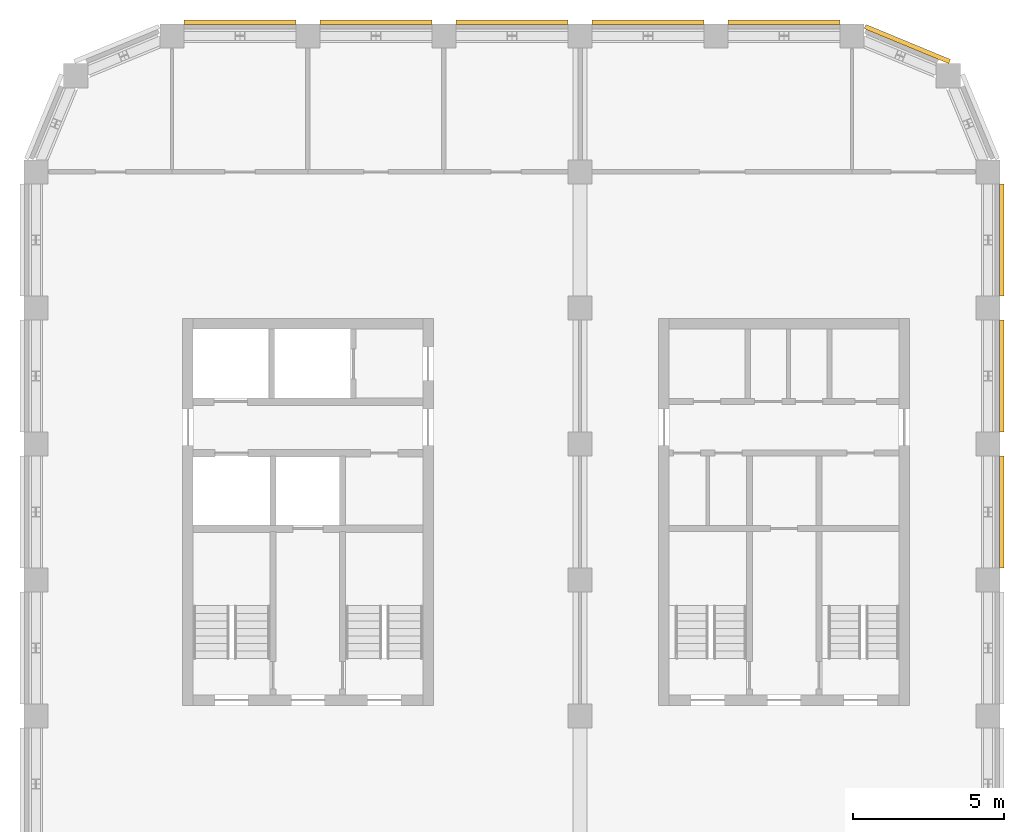
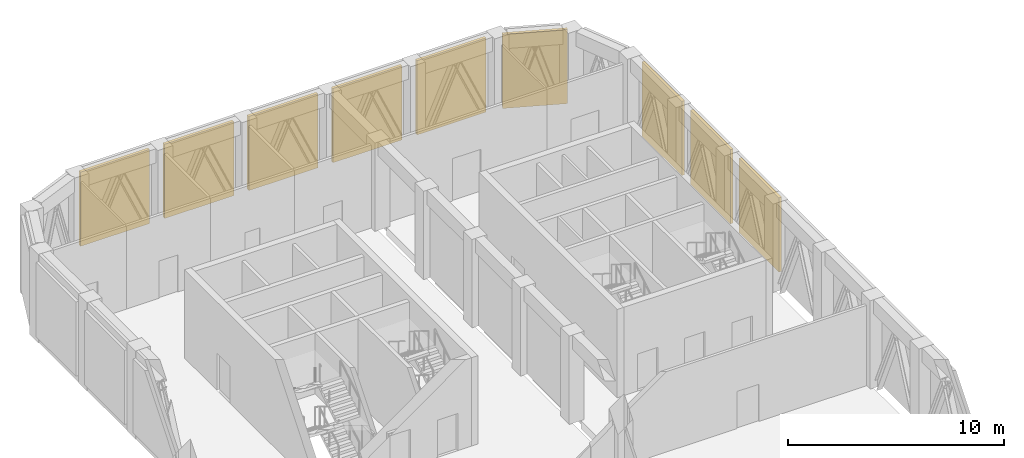
# One storey, part 7 of 7: 9 shading devices.
"""IFC4 building model written with IfcOpenShell, lengths in metres."""

import ifcopenshell
import ifcopenshell.guid

model = None  # the IFC model being written
_history = None  # IfcOwnerHistory: only IFC2X3 demands one
_inside = {}  # id of a spatial element -> (the spatial element, [elements in it])
_under = {}  # id of a project, library or spatial element -> (it, [spatial elements below it])
_declared = {}  # id of a project -> (the project, [libraries it declares])
_typed = {}  # id of a type object -> (the type object, [elements of that type])
_made_of = {}  # id of a material, layer set ... -> (it, [elements and type objects made of it])


def new_model(schema):
    """Start an empty IFC model of exactly this schema.

    Asked for "IFC4X3", IfcOpenShell would pick the latest addendum, in which some entities
    have other attributes; the version numbers below select the first issue.
    IFC2X3 requires an IfcOwnerHistory on every rooted entity: one is made here for all.
    """
    global model, _history
    if schema == "IFC4X3":
        model = ifcopenshell.file(schema_version=(4, 3, 0, 0))
    else:
        model = ifcopenshell.file(schema=schema)
    _inside.clear()
    _under.clear()
    _declared.clear()
    _typed.clear()
    _made_of.clear()
    _history = None
    if model.schema == "IFC2X3":
        org = make("IfcOrganization", Name="unknown")
        user = make(
            "IfcPersonAndOrganization",
            ThePerson=make("IfcPerson", FamilyName="unknown"),
            TheOrganization=org,
        )
        app = make(
            "IfcApplication",
            ApplicationDeveloper=org,
            Version="unknown",
            ApplicationFullName="unknown",
            ApplicationIdentifier="unknown",
        )
        _history = make(
            "IfcOwnerHistory",
            OwningUser=user,
            OwningApplication=app,
            ChangeAction="ADDED",
            CreationDate=0,
        )
    return model


def make(cls, **values):
    """One entity of the class cls with the attributes given. An attribute that is None is left unset."""
    return model.create_entity(
        cls, **{name: value for name, value in values.items() if value is not None}
    )


def rooted(cls, **values):
    """An entity with a GlobalId (a new one), such as an element, a storey or a relation."""
    return make(cls, GlobalId=ifcopenshell.guid.new(), OwnerHistory=_history, **values)


def si_unit(unit_type, name, prefix=None):
    """IfcSIUnit, for example si_unit("LENGTHUNIT", "METRE", prefix="MILLI")."""
    return make("IfcSIUnit", UnitType=unit_type, Prefix=prefix, Name=name)


def assignment(units):
    """IfcUnitAssignment: the units of a project."""
    return None if units is None else make("IfcUnitAssignment", Units=units)


def point(xyz):
    """IfcCartesianPoint."""
    return None if xyz is None else make("IfcCartesianPoint", Coordinates=xyz)


def direction(xyz):
    """IfcDirection."""
    return None if xyz is None else make("IfcDirection", DirectionRatios=xyz)


def frame(location, z_axis=None, x_axis=None):
    """IfcAxis2Placement3D, a coordinate frame: its origin and axes. An axis left out is left unset."""
    return make(
        "IfcAxis2Placement3D",
        Location=point(location),
        Axis=direction(z_axis),
        RefDirection=direction(x_axis),
    )


def frame_2d(location, x_axis=None):
    """IfcAxis2Placement2D, a coordinate frame in the plane: its origin and x axis."""
    return make(
        "IfcAxis2Placement2D", Location=point(location), RefDirection=direction(x_axis)
    )


def origin():
    """The frame at (0, 0, 0) with its axes left unset."""
    return frame((0.0, 0.0, 0.0))


def origin_2d():
    """The frame at (0, 0) in the plane with its x axis left unset."""
    return frame_2d((0.0, 0.0))


def place(relative_to, where):
    """IfcLocalPlacement: puts the frame where relative to a parent placement (None: the world)."""
    return make(
        "IfcLocalPlacement", PlacementRelTo=relative_to, RelativePlacement=where
    )


def context(
    kind, dimensions, precision=None, world=None, true_north=None, identifier=None
):
    """IfcGeometricRepresentationContext, for example the 3D "Model" context."""
    return make(
        "IfcGeometricRepresentationContext",
        ContextIdentifier=identifier,
        ContextType=kind,
        CoordinateSpaceDimension=dimensions,
        Precision=precision,
        WorldCoordinateSystem=world,
        TrueNorth=true_north,
    )


def subcontext(parent, identifier, kind, view, scale=None):
    """IfcGeometricRepresentationSubContext, for example "Body" below "Model"."""
    return make(
        "IfcGeometricRepresentationSubContext",
        ContextIdentifier=identifier,
        ContextType=kind,
        ParentContext=parent,
        TargetScale=scale,
        TargetView=view,
    )


def project(units=None, contexts=None):
    """IfcProject with its units and contexts."""
    return rooted(
        "IfcProject",
        Name="project",
        RepresentationContexts=contexts,
        UnitsInContext=assignment(units),
    )


def spatial(cls, under=None, at=None, **own):
    """A site, building, storey or space (cls), placed at a placement, below another one or the project."""
    s = rooted(cls, ObjectPlacement=at, **own)
    if under is not None:
        _under.setdefault(under.id(), (under, []))[1].append(s)
    return s


def profile(cls, at=None, kind="AREA", **sizes):
    """A parametric profile (cls). Its sizes go by their IFC names, for example OverallWidth=200.0."""
    return make(cls, ProfileType=kind, Position=at, **sizes)


def rectangle(**sizes):
    """IfcRectangleProfileDef."""
    return profile("IfcRectangleProfileDef", **sizes)


def extrude(swept, where, along, depth):
    """IfcExtrudedAreaSolid: the profile swept, set in the frame where, extruded along a direction by depth."""
    return make(
        "IfcExtrudedAreaSolid",
        SweptArea=swept,
        Position=where,
        ExtrudedDirection=direction(along),
        Depth=depth,
    )


def shape(context_of_items, identifier, shape_type, items):
    """IfcShapeRepresentation: the items that make up one representation, for example the "Body"."""
    return make(
        "IfcShapeRepresentation",
        ContextOfItems=context_of_items,
        RepresentationIdentifier=identifier,
        RepresentationType=shape_type,
        Items=items,
    )


def material(Name=None, Category=None):
    """IfcMaterial."""
    return make("IfcMaterial", Name=Name, Category=Category)


def made_of(thing, what):
    """Note that an element or type object is made of a material, layer set ...; save() writes the relation."""
    if what is not None:
        _made_of.setdefault(what.id(), (what, []))[1].append(thing)
    return thing


def type_object(cls, material=None, **own):
    """A type object (cls), such as IfcWallType, which elements share."""
    return made_of(rooted(cls, **own), material)


def element(
    cls,
    number,
    at=None,
    inside=None,
    cuts=None,
    type_object=None,
    material=None,
    context=None,
    identifier="Body",
    shape_type=None,
    held_by="IfcProductDefinitionShape",
    body=None,
    shapes=None,
    **own,
):
    """One element of the class cls, such as IfcWall. Its Tag is "e" and its number.

    at: its placement. inside: the storey or other place that contains it. cuts: it is an
    opening in that element (IfcRelVoidsElement). A single representation is given by context,
    identifier, shape_type and body (its items); several are given by shapes. held_by: the class
    of the entity that holds the representations. save() writes the other relations.
    """
    e = rooted(cls, Tag="e%d" % number, ObjectPlacement=at, **own)
    if body is not None:
        shapes = [shape(context, identifier, shape_type, body)]
    if shapes is not None:
        e.Representation = make(held_by, Representations=shapes)
    if inside is not None:
        _inside.setdefault(inside.id(), (inside, []))[1].append(e)
    if cuts is not None:
        rooted(
            "IfcRelVoidsElement", RelatingBuildingElement=cuts, RelatedOpeningElement=e
        )
    if type_object is not None:
        _typed.setdefault(type_object.id(), (type_object, []))[1].append(e)
    return made_of(e, material)


def aggregate(whole, parts):
    """IfcRelAggregates: a whole, such as a stair, and the parts it consists of."""
    return rooted("IfcRelAggregates", RelatingObject=whole, RelatedObjects=parts)


def save(model, path):
    """Write the relations noted so far, then the file.

    IfcRelAggregates (storeys below a building ...), IfcRelContainedInSpatialStructure (elements
    in a storey), IfcRelDefinesByType, IfcRelAssociatesMaterial and IfcRelDeclares: one each for
    every whole, place, type object, material and project.
    """
    for whole, parts in _under.values():
        aggregate(whole, parts)
    for where, things in _inside.values():
        rooted(
            "IfcRelContainedInSpatialStructure",
            RelatedElements=things,
            RelatingStructure=where,
        )
    for kind, things in _typed.values():
        rooted("IfcRelDefinesByType", RelatedObjects=things, RelatingType=kind)
    for what, things in _made_of.values():
        rooted("IfcRelAssociatesMaterial", RelatedObjects=things, RelatingMaterial=what)
    for by, libraries in _declared.values():
        rooted("IfcRelDeclares", RelatingContext=by, RelatedDefinitions=libraries)
    model.write(path)


model = new_model("IFC4")

# Units and contexts
model_context = context("Model", 3, precision=1e-05, world=origin(), true_north=direction((0.0, 1.0)))
body_context = subcontext(model_context, "Body", "Model", "MODEL_VIEW")
ifc_project = project(units=[si_unit("LENGTHUNIT", "METRE"), si_unit("AREAUNIT", "SQUARE_METRE"), si_unit("VOLUMEUNIT", "CUBIC_METRE"), si_unit("PLANEANGLEUNIT", "RADIAN"), si_unit("MASSUNIT", "GRAM", prefix="KILO")], contexts=[model_context])

# Site, building, storey
site_placement = place(None, origin())
site = spatial("IfcSite", under=ifc_project, at=site_placement, CompositionType="ELEMENT")
building_placement = place(site_placement, origin())
building = spatial("IfcBuilding", under=site, at=building_placement, Name="Girih Gate Residences", CompositionType="ELEMENT")
storey_placement = place(building_placement, frame((0.0, 0.0, 201.89990234375)))
storey = spatial("IfcBuildingStorey", under=building, at=storey_placement, Name="L56", CompositionType="ELEMENT", Elevation=201.89990234375)

# Shading devices
ifc_material = material(Name="Aluminium louvre", Category="aluminium")
shading_device_type = type_object("IfcShadingDeviceType", Name="Plant louvre band", PredefinedType="USERDEFINED", material=ifc_material)
for number, where, z_axis, x_axis, name in (
    (1, (31.949951171875, 33.75, 0.39990234375), (0.0, 0.0, 1.0), (0.0, 1.0, 0.0), "Plant louvre E0315_0045.6"),
    (2, (31.949951171875, 38.25, 0.39990234375), (0.0, 0.0, 1.0), (0.0, 1.0, 0.0), "Plant louvre E0315_0045.7"),
    (3, (31.949951171875, 42.75, 0.39990234375), (0.0, 0.0, 1.0), (0.0, 1.0, 0.0), "Plant louvre E0315_0045.8"),
):
    element("IfcShadingDevice", number, at=place(storey_placement, frame(where, z_axis=z_axis, x_axis=x_axis)), inside=storey, type_object=shading_device_type, Name=name, ObjectType="LOUVRE", PredefinedType="USERDEFINED", context=body_context, shape_type="SweptSolid", body=[
        extrude(rectangle(XDim=3.699951171875, YDim=0.14990234375, at=origin_2d()), origin(), (0.0, 0.0, 1.0), 4.195068359375),
    ])
shading_device_placement = place(storey_placement, frame((28.826904296875, 49.23046875, 0.39990234375), z_axis=(0.0, 0.0, 1.0), x_axis=(-0.923879532511, 0.382683432365, 0.0)))
element("IfcShadingDevice", 4, at=shading_device_placement, inside=storey, type_object=shading_device_type, Name="Plant louvre NE0302_0482.0", ObjectType="LOUVRE", PredefinedType="USERDEFINED", context=body_context, shape_type="SweptSolid", body=[
    extrude(rectangle(XDim=3.026611328125, YDim=0.14990234375, at=origin_2d()), origin(), (0.0, 0.0, 1.0), 4.195068359375),
])
for number, where, z_axis, x_axis, name in (
    (5, (24.75, 49.949951171875, 0.39990234375), (0.0, 0.0, 1.0), (-1.0, 0.0, 0.0), "Plant louvre N0270_0495.0"),
    (6, (20.25, 49.949951171875, 0.39990234375), (0.0, 0.0, 1.0), (-1.0, 0.0, 0.0), "Plant louvre N0270_0495.1"),
    (7, (15.75, 49.949951171875, 0.39990234375), (0.0, 0.0, 1.0), (-1.0, 0.0, 0.0), "Plant louvre N0270_0495.2"),
    (8, (11.25, 49.949951171875, 0.39990234375), (0.0, 0.0, 1.0), (-1.0, 0.0, 0.0), "Plant louvre N0270_0495.3"),
    (9, (6.75, 49.949951171875, 0.39990234375), (0.0, 0.0, 1.0), (-1.0, 0.0, 0.0), "Plant louvre N0270_0495.4"),
):
    element("IfcShadingDevice", number, at=place(storey_placement, frame(where, z_axis=z_axis, x_axis=x_axis)), inside=storey, type_object=shading_device_type, Name=name, ObjectType="LOUVRE", PredefinedType="USERDEFINED", context=body_context, shape_type="SweptSolid", body=[
        extrude(rectangle(XDim=3.699951171875, YDim=0.14990234375, at=origin_2d()), origin(), (0.0, 0.0, 1.0), 4.195068359375),
    ])

save(model, "model.ifc")
